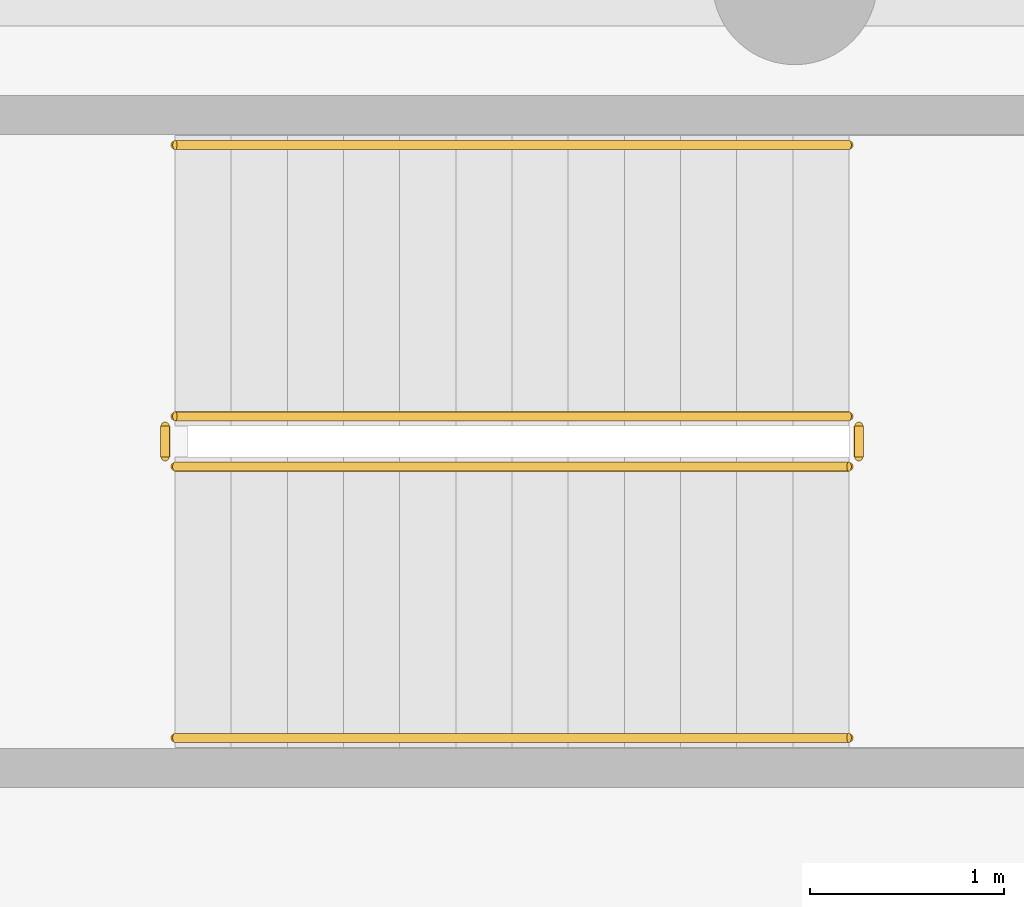
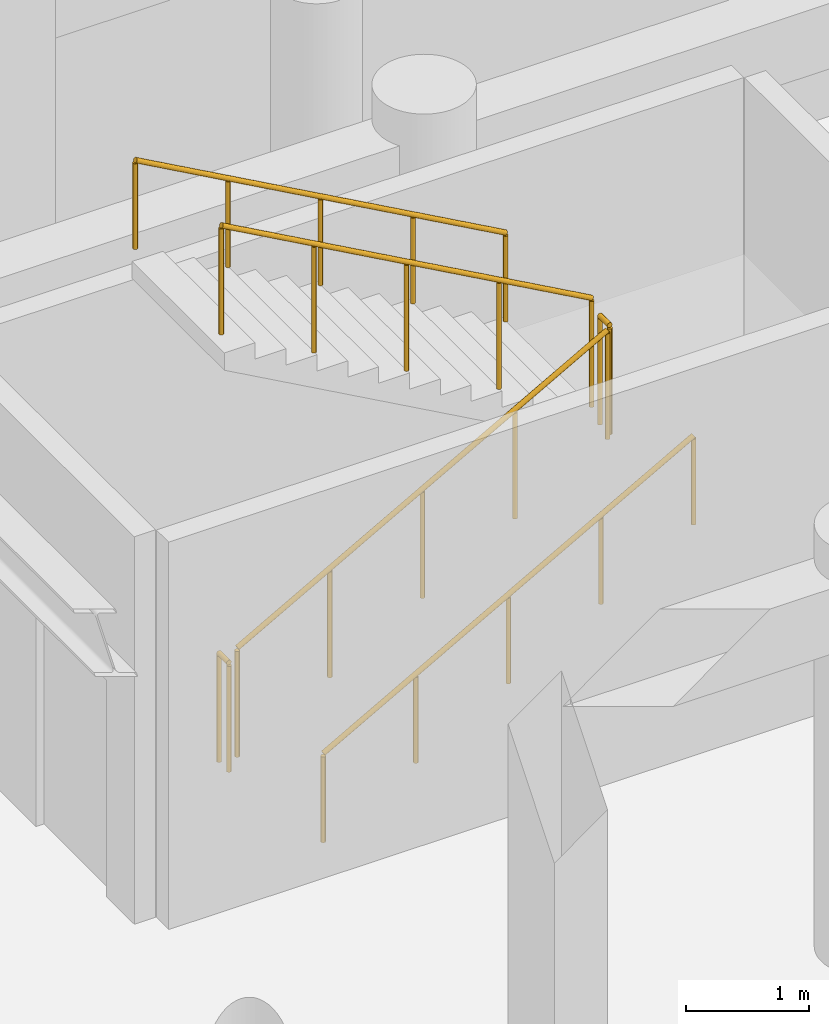
# One storey, part 10 of 11: 6 railings.
"""IFC4 building model written with IfcOpenShell, lengths in metres."""

from ifc_helpers import new_model, si_unit, direction, frame, origin, origin_2d, place, context, subcontext, project, spatial, circle, extrude, material, layer, layer_set, type_object, element, save


model = new_model("IFC4")

# Units and contexts
model_context = context("Model", 3, precision=1e-05, world=origin(), true_north=direction((0.0, 1.0)))
body_context = subcontext(model_context, "Body", "Model", "MODEL_VIEW")
ifc_project = project(units=[si_unit("LENGTHUNIT", "METRE"), si_unit("AREAUNIT", "SQUARE_METRE"), si_unit("VOLUMEUNIT", "CUBIC_METRE"), si_unit("PLANEANGLEUNIT", "RADIAN"), si_unit("MASSUNIT", "GRAM", prefix="KILO")], contexts=[model_context])

# Site, building, storey
site_placement = place(None, origin())
site = spatial("IfcSite", under=ifc_project, at=site_placement, CompositionType="ELEMENT")
building_placement = place(site_placement, origin())
building = spatial("IfcBuilding", under=site, at=building_placement, Name="Karkom Vertical University and Central Library", CompositionType="ELEMENT")
storey_placement = place(building_placement, frame((0.0, 0.0, -4.199951171875)))
storey = spatial("IfcBuildingStorey", under=building, at=storey_placement, Name="B01", CompositionType="ELEMENT", Elevation=-4.199951171875)

# Railings
ifc_material_1 = material(Name="Painted galvanised steel balustrade", Category="steel")
ifc_layer_1 = layer(ifc_material_1, 0.06005859375)
ifc_layer_set_1 = layer_set([ifc_layer_1], Name="Painted galvanised steel balustrade")
railing_type_1 = type_object("IfcRailingType", Name="INT-RL-GUARD1100", PredefinedType="GUARDRAIL", material=ifc_layer_set_1)
railing_1_placement = place(storey_placement, frame((72.199951171875, 45.699951171875, 0.161376953125)))
element("IfcRailing", 1, at=railing_1_placement, inside=storey, type_object=railing_type_1, Name="Basement 01 LIB-ST2 stair guard 1", PredefinedType="GUARDRAIL", context=body_context, shape_type="SweptSolid", body=[
    extrude(circle(Radius=0.02392578125, at=origin_2d()), frame((0.0, 0.0, 1.076171875), z_axis=(0.87360743253, 0.0, 0.486631332559), x_axis=(0.0, 1.0, 0.0)), (0.0, 0.0, 1.0), 3.9833984375),
    extrude(circle(Radius=0.02099609375, at=origin_2d()), origin(), (0.0, 0.0, 1.0), 1.052001953125),
    extrude(circle(Radius=0.02099609375, at=origin_2d()), frame((0.8701171875, 0.0, 0.484619140625)), (0.0, 0.0, 1.0), 1.052001953125),
    extrude(circle(Radius=0.02099609375, at=origin_2d()), frame((1.739990234375, 0.0, 0.96923828125)), (0.0, 0.0, 1.0), 1.052001953125),
    extrude(circle(Radius=0.02099609375, at=origin_2d()), frame((2.60986328125, 0.0, 1.453857421875)), (0.0, 0.0, 1.0), 1.052001953125),
    extrude(circle(Radius=0.02099609375, at=origin_2d()), frame((3.47998046875, 0.0, 1.9384765625)), (0.0, 0.0, 1.0), 1.052001953125),
])
railing_2_placement = place(storey_placement, frame((75.72998046875, 45.75, 2.099853515625)))
element("IfcRailing", 2, at=railing_2_placement, inside=storey, type_object=railing_type_1, Name="Basement 01 LIB-ST2 stair guard 2", PredefinedType="GUARDRAIL", context=body_context, shape_type="SweptSolid", body=[
    extrude(circle(Radius=0.02392578125, at=origin_2d()), frame((0.0, 0.0, 1.076171875), z_axis=(0.0, 1.0, 0.0), x_axis=(-1.0, 0.0, 0.0)), (0.0, 0.0, 1.0), 0.159912109375),
    extrude(circle(Radius=0.02099609375, at=origin_2d()), origin(), (0.0, 0.0, 1.0), 1.052001953125),
    extrude(circle(Radius=0.02099609375, at=origin_2d()), frame((0.0, 0.159912109375, 0.0)), (0.0, 0.0, 1.0), 1.052001953125),
])
railing_3_placement = place(storey_placement, frame((75.679931640625, 45.9599609375, 2.261474609375)))
element("IfcRailing", 3, at=railing_3_placement, inside=storey, type_object=railing_type_1, Name="Basement 01 LIB-ST2 stair guard 3", PredefinedType="GUARDRAIL", context=body_context, shape_type="SweptSolid", body=[
    extrude(circle(Radius=0.02392578125, at=origin_2d()), frame((0.0, 0.0, 1.076171875), z_axis=(-0.87360743253, 0.0, 0.486631332559), x_axis=(0.0, -1.0, 0.0)), (0.0, 0.0, 1.0), 3.9833984375),
    extrude(circle(Radius=0.02099609375, at=origin_2d()), origin(), (0.0, 0.0, 1.0), 1.052001953125),
    extrude(circle(Radius=0.02099609375, at=origin_2d()), frame((-0.8701171875, 0.0, 0.484619140625)), (0.0, 0.0, 1.0), 1.052001953125),
    extrude(circle(Radius=0.02099609375, at=origin_2d()), frame((-1.739990234375, 0.0, 0.96923828125)), (0.0, 0.0, 1.0), 1.052001953125),
    extrude(circle(Radius=0.02099609375, at=origin_2d()), frame((-2.60986328125, 0.0, 1.453857421875)), (0.0, 0.0, 1.0), 1.052001953125),
    extrude(circle(Radius=0.02099609375, at=origin_2d()), frame((-3.47998046875, 0.0, 1.9384765625)), (0.0, 0.0, 1.0), 1.052001953125),
])
railing_4_placement = place(storey_placement, frame((72.14990234375, 45.75, 0.0)))
element("IfcRailing", 4, at=railing_4_placement, inside=storey, type_object=railing_type_1, Name="Basement 01 LIB-ST2 stair guard 4", PredefinedType="GUARDRAIL", context=body_context, shape_type="SweptSolid", body=[
    extrude(circle(Radius=0.02392578125, at=origin_2d()), frame((0.0, 0.0, 1.076171875), z_axis=(0.0, 1.0, 0.0), x_axis=(-1.0, 0.0, 0.0)), (0.0, 0.0, 1.0), 0.159912109375),
    extrude(circle(Radius=0.02099609375, at=origin_2d()), origin(), (0.0, 0.0, 1.0), 1.052001953125),
    extrude(circle(Radius=0.02099609375, at=origin_2d()), frame((0.0, 0.159912109375, 0.0)), (0.0, 0.0, 1.0), 1.052001953125),
])
ifc_material_2 = material(Name="Brushed stainless-steel tubular handrail", Category="steel")
ifc_layer_2 = layer(ifc_material_2, 0.048095703125)
ifc_layer_set_2 = layer_set([ifc_layer_2], Name="Brushed stainless-steel tubular handrail")
railing_type_2 = type_object("IfcRailingType", Name="INT-RL-HAND920", PredefinedType="HANDRAIL", material=ifc_layer_set_2)
railing_5_placement = place(storey_placement, frame((72.199951171875, 44.300048828125, 0.161376953125)))
element("IfcRailing", 5, at=railing_5_placement, inside=storey, type_object=railing_type_2, Name="Basement 01 LIB-ST2 stair handrail 1", PredefinedType="HANDRAIL", context=body_context, shape_type="SweptSolid", body=[
    extrude(circle(Radius=0.02392578125, at=origin_2d()), frame((0.0, 0.0, 0.8759765625), z_axis=(0.87360743253, 0.0, 0.486631332559), x_axis=(0.0, 1.0, 0.0)), (0.0, 0.0, 1.0), 3.9833984375),
    extrude(circle(Radius=0.02099609375, at=origin_2d()), origin(), (0.0, 0.0, 1.0), 0.851806640625),
    extrude(circle(Radius=0.02099609375, at=origin_2d()), frame((0.8701171875, 0.0, 0.484619140625)), (0.0, 0.0, 1.0), 0.851806640625),
    extrude(circle(Radius=0.02099609375, at=origin_2d()), frame((1.739990234375, 0.0, 0.96923828125)), (0.0, 0.0, 1.0), 0.851806640625),
    extrude(circle(Radius=0.02099609375, at=origin_2d()), frame((2.60986328125, 0.0, 1.453857421875)), (0.0, 0.0, 1.0), 0.851806640625),
    extrude(circle(Radius=0.02099609375, at=origin_2d()), frame((3.47998046875, 0.0, 1.9384765625)), (0.0, 0.0, 1.0), 0.851806640625),
])
railing_6_placement = place(storey_placement, frame((75.679931640625, 47.360107421875, 2.261474609375)))
element("IfcRailing", 6, at=railing_6_placement, inside=storey, type_object=railing_type_2, Name="Basement 01 LIB-ST2 stair handrail 2", PredefinedType="HANDRAIL", context=body_context, shape_type="SweptSolid", body=[
    extrude(circle(Radius=0.02392578125, at=origin_2d()), frame((0.0, 0.0, 0.8759765625), z_axis=(-0.87360743253, 0.0, 0.486631332559), x_axis=(0.0, -1.0, 0.0)), (0.0, 0.0, 1.0), 3.9833984375),
    extrude(circle(Radius=0.02099609375, at=origin_2d()), origin(), (0.0, 0.0, 1.0), 0.851806640625),
    extrude(circle(Radius=0.02099609375, at=origin_2d()), frame((-0.8701171875, 0.0, 0.484619140625)), (0.0, 0.0, 1.0), 0.851806640625),
    extrude(circle(Radius=0.02099609375, at=origin_2d()), frame((-1.739990234375, 0.0, 0.96923828125)), (0.0, 0.0, 1.0), 0.851806640625),
    extrude(circle(Radius=0.02099609375, at=origin_2d()), frame((-2.60986328125, 0.0, 1.453857421875)), (0.0, 0.0, 1.0), 0.851806640625),
    extrude(circle(Radius=0.02099609375, at=origin_2d()), frame((-3.47998046875, 0.0, 1.9384765625)), (0.0, 0.0, 1.0), 0.851806640625),
])

save(model, "model.ifc")
